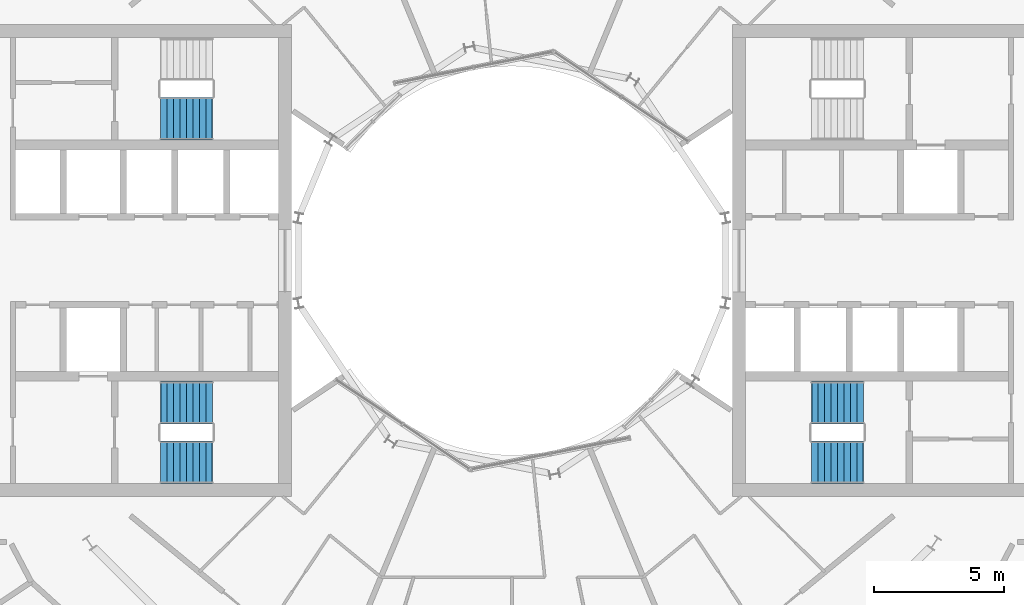
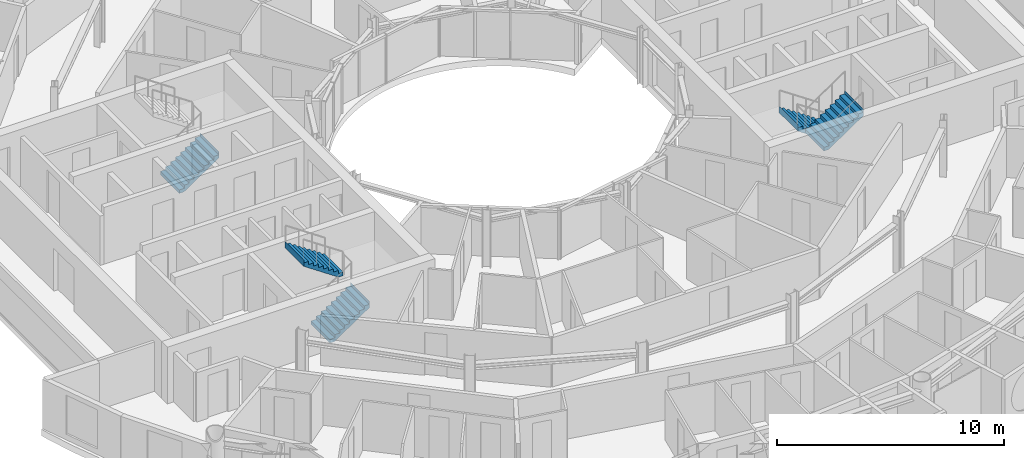
# One storey, part 24 of 26: 5 stair flights, 3 elements without a shape of their own.
"""IFC4 building model written with IfcOpenShell, lengths in metres."""

from ifc_helpers import new_model, si_unit, direction, frame, origin, place, context, subcontext, project, spatial, triangles, material, type_object, element, aggregate, save


model = new_model("IFC4")

# Units and contexts
model_context = context("Model", 3, precision=1e-05, world=origin(), true_north=direction((0.0, 1.0)))
body_context = subcontext(model_context, "Body", "Model", "MODEL_VIEW")
ifc_project = project(units=[si_unit("LENGTHUNIT", "METRE"), si_unit("AREAUNIT", "SQUARE_METRE"), si_unit("VOLUMEUNIT", "CUBIC_METRE"), si_unit("PLANEANGLEUNIT", "RADIAN"), si_unit("MASSUNIT", "GRAM", prefix="KILO")], contexts=[model_context])

# Site, building, storey
site_placement = place(None, origin())
site = spatial("IfcSite", under=ifc_project, at=site_placement, CompositionType="ELEMENT")
building_placement = place(site_placement, origin())
building = spatial("IfcBuilding", under=site, at=building_placement, Name="Maasbend Ring Residences", CompositionType="ELEMENT")
storey_placement = place(building_placement, frame((0.0, 0.0, 176.85009765625)))
storey = spatial("IfcBuildingStorey", under=building, at=storey_placement, Name="L51", CompositionType="ELEMENT", Elevation=176.85009765625)

# Stair, stair flights
ifc_material_1 = material(Name="Concrete C40/50", Category="concrete")
stair_type = type_object("IfcStairType", Name="CORE STAIR 18 RISERS", PredefinedType="HALF_TURN_STAIR", material=ifc_material_1)
stair_1_placement = place(storey_placement, origin())
stair_1 = element("IfcStair", 1, at=stair_1_placement, inside=storey, type_object=stair_type, Name="L51 Exit stair ST-E2", PredefinedType="HALF_TURN_STAIR")
ifc_material_2 = material(Name="Concrete C40/50", Category="concrete")
stair_flight_type = type_object("IfcStairFlightType", Name="CORE STAIR FLIGHT 1650", PredefinedType="STRAIGHT", material=ifc_material_2)
stair_flight_1_placement = place(storey_placement, frame((13.550048828125, -5.47509765625, 0.0), z_axis=(0.0, 0.0, 1.0), x_axis=(-1.0, 0.0, 0.0)))
stair_flight_1 = element("IfcStairFlight", 2, at=stair_flight_1_placement, type_object=stair_flight_type, Name="ST-E2 flight 1", NumberOfRisers=9, NumberOfTreads=8, PredefinedType="STRAIGHT", RiserHeight=0.169444444, TreadLength=0.25, context=body_context, shape_type="Tessellation", body=[
    triangles([(0.24072265625, 0.824951171875, -0.02001953125), (2.0029296875, 0.824951171875, 1.174560546875), (2.0029296875, 0.824951171875, 1.52490234375), (1.989990234375, 0.824951171875, 1.35546875), (1.75, 0.824951171875, 1.35546875), (1.75, 0.824951171875, 1.18603515625), (1.5, 0.824951171875, 1.18603515625), (1.5, 0.824951171875, 1.0166015625), (1.25, 0.824951171875, 1.0166015625), (1.25, 0.824951171875, 0.84716796875), (1.0, 0.824951171875, 0.84716796875), (1.0, 0.824951171875, 0.677734375), (0.75, 0.824951171875, 0.677734375), (0.75, 0.824951171875, 0.50830078125), (0.5, 0.824951171875, 0.50830078125), (0.5, 0.824951171875, 0.3388671875), (0.25, 0.824951171875, 0.3388671875), (0.25, 0.824951171875, 0.16943359375), (0.0, 0.824951171875, 0.16943359375), (0.0, 0.824951171875, 0.0), (-0.0029296875, 0.824951171875, 0.0), (-0.0029296875, 0.824951171875, -0.02001953125), (0.24072265625, 0.27490234375, -0.02001953125), (2.0029296875, 0.27490234375, 1.174560546875), (2.0029296875, 0.27490234375, 1.52490234375), (1.989990234375, 0.27490234375, 1.35546875), (1.75, 0.27490234375, 1.35546875), (1.75, 0.27490234375, 1.18603515625), (1.5, 0.27490234375, 1.18603515625), (1.5, 0.27490234375, 1.0166015625), (1.25, 0.27490234375, 1.0166015625), (1.25, 0.27490234375, 0.84716796875), (1.0, 0.27490234375, 0.84716796875), (1.0, 0.27490234375, 0.677734375), (0.75, 0.27490234375, 0.677734375), (0.75, 0.27490234375, 0.50830078125), (0.5, 0.27490234375, 0.50830078125), (0.5, 0.27490234375, 0.3388671875), (0.25, 0.27490234375, 0.3388671875), (0.25, 0.27490234375, 0.16943359375), (0.0, 0.27490234375, 0.16943359375), (0.0, 0.27490234375, 0.0), (-0.0029296875, 0.27490234375, 0.0), (-0.0029296875, 0.27490234375, -0.02001953125), (0.24072265625, -0.27490234375, -0.02001953125), (2.0029296875, -0.27490234375, 1.174560546875), (2.0029296875, -0.27490234375, 1.52490234375), (1.989990234375, -0.27490234375, 1.35546875), (1.75, -0.27490234375, 1.35546875), (1.75, -0.27490234375, 1.18603515625), (1.5, -0.27490234375, 1.18603515625), (1.5, -0.27490234375, 1.0166015625), (1.25, -0.27490234375, 1.0166015625), (1.25, -0.27490234375, 0.84716796875), (1.0, -0.27490234375, 0.84716796875), (1.0, -0.27490234375, 0.677734375), (0.75, -0.27490234375, 0.677734375), (0.75, -0.27490234375, 0.50830078125), (0.5, -0.27490234375, 0.50830078125), (0.5, -0.27490234375, 0.3388671875), (0.25, -0.27490234375, 0.3388671875), (0.25, -0.27490234375, 0.16943359375), (0.0, -0.27490234375, 0.16943359375), (0.0, -0.27490234375, 0.0), (-0.0029296875, -0.27490234375, 0.0), (-0.0029296875, -0.27490234375, -0.02001953125), (0.24072265625, -0.824951171875, -0.02001953125), (2.0029296875, -0.824951171875, 1.174560546875), (2.0029296875, -0.824951171875, 1.52490234375), (1.989990234375, -0.824951171875, 1.35546875), (1.75, -0.824951171875, 1.35546875), (1.75, -0.824951171875, 1.18603515625), (1.5, -0.824951171875, 1.18603515625), (1.5, -0.824951171875, 1.0166015625), (1.25, -0.824951171875, 1.0166015625), (1.25, -0.824951171875, 0.84716796875), (1.0, -0.824951171875, 0.84716796875), (1.0, -0.824951171875, 0.677734375), (0.75, -0.824951171875, 0.677734375), (0.75, -0.824951171875, 0.50830078125), (0.5, -0.824951171875, 0.50830078125), (0.5, -0.824951171875, 0.3388671875), (0.25, -0.824951171875, 0.3388671875), (0.25, -0.824951171875, 0.16943359375), (0.0, -0.824951171875, 0.16943359375), (0.0, -0.824951171875, 0.0), (-0.0029296875, -0.824951171875, 0.0), (-0.0029296875, -0.824951171875, -0.02001953125)], [[1, 2, 24], [1, 24, 23], [23, 24, 46], [23, 46, 45], [45, 46, 68], [45, 68, 67], [2, 3, 25], [2, 25, 24], [24, 25, 47], [24, 47, 46], [46, 47, 69], [46, 69, 68], [3, 4, 26], [3, 26, 25], [25, 26, 48], [25, 48, 47], [47, 48, 70], [47, 70, 69], [4, 5, 27], [4, 27, 26], [26, 27, 49], [26, 49, 48], [48, 49, 71], [48, 71, 70], [5, 6, 28], [5, 28, 27], [27, 28, 50], [27, 50, 49], [49, 50, 72], [49, 72, 71], [6, 7, 29], [6, 29, 28], [28, 29, 51], [28, 51, 50], [50, 51, 73], [50, 73, 72], [7, 8, 30], [7, 30, 29], [29, 30, 52], [29, 52, 51], [51, 52, 74], [51, 74, 73], [8, 9, 31], [8, 31, 30], [30, 31, 53], [30, 53, 52], [52, 53, 75], [52, 75, 74], [9, 10, 32], [9, 32, 31], [31, 32, 54], [31, 54, 53], [53, 54, 76], [53, 76, 75], [10, 11, 33], [10, 33, 32], [32, 33, 55], [32, 55, 54], [54, 55, 77], [54, 77, 76], [11, 12, 34], [11, 34, 33], [33, 34, 56], [33, 56, 55], [55, 56, 78], [55, 78, 77], [12, 13, 35], [12, 35, 34], [34, 35, 57], [34, 57, 56], [56, 57, 79], [56, 79, 78], [13, 14, 36], [13, 36, 35], [35, 36, 58], [35, 58, 57], [57, 58, 80], [57, 80, 79], [14, 15, 37], [14, 37, 36], [36, 37, 59], [36, 59, 58], [58, 59, 81], [58, 81, 80], [15, 16, 38], [15, 38, 37], [37, 38, 60], [37, 60, 59], [59, 60, 82], [59, 82, 81], [16, 17, 39], [16, 39, 38], [38, 39, 61], [38, 61, 60], [60, 61, 83], [60, 83, 82], [17, 18, 40], [17, 40, 39], [39, 40, 62], [39, 62, 61], [61, 62, 84], [61, 84, 83], [18, 19, 41], [18, 41, 40], [40, 41, 63], [40, 63, 62], [62, 63, 85], [62, 85, 84], [19, 20, 42], [19, 42, 41], [41, 42, 64], [41, 64, 63], [63, 64, 86], [63, 86, 85], [20, 21, 43], [20, 43, 42], [42, 43, 65], [42, 65, 64], [64, 65, 87], [64, 87, 86], [21, 22, 44], [21, 44, 43], [43, 44, 66], [43, 66, 65], [65, 66, 88], [65, 88, 87], [22, 1, 23], [22, 23, 44], [44, 23, 45], [44, 45, 66], [66, 45, 67], [66, 67, 88], [22, 2, 1], [2, 4, 3], [2, 5, 4], [2, 6, 5], [22, 6, 2], [6, 8, 7], [22, 8, 6], [8, 10, 9], [22, 10, 8], [10, 12, 11], [22, 12, 10], [12, 14, 13], [22, 14, 12], [14, 16, 15], [22, 16, 14], [16, 18, 17], [22, 18, 16], [18, 20, 19], [22, 20, 18], [20, 22, 21], [88, 67, 68], [68, 69, 70], [68, 70, 71], [68, 71, 72], [88, 68, 72], [72, 73, 74], [88, 72, 74], [74, 75, 76], [88, 74, 76], [76, 77, 78], [88, 76, 78], [78, 79, 80], [88, 78, 80], [80, 81, 82], [88, 80, 82], [82, 83, 84], [88, 82, 84], [84, 85, 86], [88, 84, 86], [86, 87, 88]], closed=True),
])
stair_flight_2_placement = place(storey_placement, frame((11.550048828125, -7.77490234375, 1.52490234375), z_axis=(0.0, 0.0, 1.0), x_axis=(1.0, 0.0, 0.0)))
stair_flight_2 = element("IfcStairFlight", 3, at=stair_flight_2_placement, type_object=stair_flight_type, Name="ST-E2 flight 2", NumberOfRisers=9, NumberOfTreads=8, PredefinedType="STRAIGHT", RiserHeight=0.169444444, TreadLength=0.25, context=body_context, shape_type="Tessellation", body=[
    triangles([(0.24072265625, 0.824951171875, -0.02001953125), (2.0029296875, 0.824951171875, 1.174560546875), (2.0029296875, 0.824951171875, 1.52490234375), (1.989990234375, 0.824951171875, 1.35546875), (1.75, 0.824951171875, 1.35546875), (1.75, 0.824951171875, 1.18603515625), (1.5, 0.824951171875, 1.18603515625), (1.5, 0.824951171875, 1.0166015625), (1.25, 0.824951171875, 1.0166015625), (1.25, 0.824951171875, 0.84716796875), (1.0, 0.824951171875, 0.84716796875), (1.0, 0.824951171875, 0.677734375), (0.75, 0.824951171875, 0.677734375), (0.75, 0.824951171875, 0.50830078125), (0.5, 0.824951171875, 0.50830078125), (0.5, 0.824951171875, 0.3388671875), (0.25, 0.824951171875, 0.3388671875), (0.25, 0.824951171875, 0.16943359375), (0.0, 0.824951171875, 0.16943359375), (0.0, 0.824951171875, 0.0), (-0.0029296875, 0.824951171875, 0.0), (-0.0029296875, 0.824951171875, -0.02001953125), (0.24072265625, 0.27490234375, -0.02001953125), (2.0029296875, 0.27490234375, 1.174560546875), (2.0029296875, 0.27490234375, 1.52490234375), (1.989990234375, 0.27490234375, 1.35546875), (1.75, 0.27490234375, 1.35546875), (1.75, 0.27490234375, 1.18603515625), (1.5, 0.27490234375, 1.18603515625), (1.5, 0.27490234375, 1.0166015625), (1.25, 0.27490234375, 1.0166015625), (1.25, 0.27490234375, 0.84716796875), (1.0, 0.27490234375, 0.84716796875), (1.0, 0.27490234375, 0.677734375), (0.75, 0.27490234375, 0.677734375), (0.75, 0.27490234375, 0.50830078125), (0.5, 0.27490234375, 0.50830078125), (0.5, 0.27490234375, 0.3388671875), (0.25, 0.27490234375, 0.3388671875), (0.25, 0.27490234375, 0.16943359375), (0.0, 0.27490234375, 0.16943359375), (0.0, 0.27490234375, 0.0), (-0.0029296875, 0.27490234375, 0.0), (-0.0029296875, 0.27490234375, -0.02001953125), (0.24072265625, -0.27490234375, -0.02001953125), (2.0029296875, -0.27490234375, 1.174560546875), (2.0029296875, -0.27490234375, 1.52490234375), (1.989990234375, -0.27490234375, 1.35546875), (1.75, -0.27490234375, 1.35546875), (1.75, -0.27490234375, 1.18603515625), (1.5, -0.27490234375, 1.18603515625), (1.5, -0.27490234375, 1.0166015625), (1.25, -0.27490234375, 1.0166015625), (1.25, -0.27490234375, 0.84716796875), (1.0, -0.27490234375, 0.84716796875), (1.0, -0.27490234375, 0.677734375), (0.75, -0.27490234375, 0.677734375), (0.75, -0.27490234375, 0.50830078125), (0.5, -0.27490234375, 0.50830078125), (0.5, -0.27490234375, 0.3388671875), (0.25, -0.27490234375, 0.3388671875), (0.25, -0.27490234375, 0.16943359375), (0.0, -0.27490234375, 0.16943359375), (0.0, -0.27490234375, 0.0), (-0.0029296875, -0.27490234375, 0.0), (-0.0029296875, -0.27490234375, -0.02001953125), (0.24072265625, -0.824951171875, -0.02001953125), (2.0029296875, -0.824951171875, 1.174560546875), (2.0029296875, -0.824951171875, 1.52490234375), (1.989990234375, -0.824951171875, 1.35546875), (1.75, -0.824951171875, 1.35546875), (1.75, -0.824951171875, 1.18603515625), (1.5, -0.824951171875, 1.18603515625), (1.5, -0.824951171875, 1.0166015625), (1.25, -0.824951171875, 1.0166015625), (1.25, -0.824951171875, 0.84716796875), (1.0, -0.824951171875, 0.84716796875), (1.0, -0.824951171875, 0.677734375), (0.75, -0.824951171875, 0.677734375), (0.75, -0.824951171875, 0.50830078125), (0.5, -0.824951171875, 0.50830078125), (0.5, -0.824951171875, 0.3388671875), (0.25, -0.824951171875, 0.3388671875), (0.25, -0.824951171875, 0.16943359375), (0.0, -0.824951171875, 0.16943359375), (0.0, -0.824951171875, 0.0), (-0.0029296875, -0.824951171875, 0.0), (-0.0029296875, -0.824951171875, -0.02001953125)], [[1, 2, 24], [1, 24, 23], [23, 24, 46], [23, 46, 45], [45, 46, 68], [45, 68, 67], [2, 3, 25], [2, 25, 24], [24, 25, 47], [24, 47, 46], [46, 47, 69], [46, 69, 68], [3, 4, 26], [3, 26, 25], [25, 26, 48], [25, 48, 47], [47, 48, 70], [47, 70, 69], [4, 5, 27], [4, 27, 26], [26, 27, 49], [26, 49, 48], [48, 49, 71], [48, 71, 70], [5, 6, 28], [5, 28, 27], [27, 28, 50], [27, 50, 49], [49, 50, 72], [49, 72, 71], [6, 7, 29], [6, 29, 28], [28, 29, 51], [28, 51, 50], [50, 51, 73], [50, 73, 72], [7, 8, 30], [7, 30, 29], [29, 30, 52], [29, 52, 51], [51, 52, 74], [51, 74, 73], [8, 9, 31], [8, 31, 30], [30, 31, 53], [30, 53, 52], [52, 53, 75], [52, 75, 74], [9, 10, 32], [9, 32, 31], [31, 32, 54], [31, 54, 53], [53, 54, 76], [53, 76, 75], [10, 11, 33], [10, 33, 32], [32, 33, 55], [32, 55, 54], [54, 55, 77], [54, 77, 76], [11, 12, 34], [11, 34, 33], [33, 34, 56], [33, 56, 55], [55, 56, 78], [55, 78, 77], [12, 13, 35], [12, 35, 34], [34, 35, 57], [34, 57, 56], [56, 57, 79], [56, 79, 78], [13, 14, 36], [13, 36, 35], [35, 36, 58], [35, 58, 57], [57, 58, 80], [57, 80, 79], [14, 15, 37], [14, 37, 36], [36, 37, 59], [36, 59, 58], [58, 59, 81], [58, 81, 80], [15, 16, 38], [15, 38, 37], [37, 38, 60], [37, 60, 59], [59, 60, 82], [59, 82, 81], [16, 17, 39], [16, 39, 38], [38, 39, 61], [38, 61, 60], [60, 61, 83], [60, 83, 82], [17, 18, 40], [17, 40, 39], [39, 40, 62], [39, 62, 61], [61, 62, 84], [61, 84, 83], [18, 19, 41], [18, 41, 40], [40, 41, 63], [40, 63, 62], [62, 63, 85], [62, 85, 84], [19, 20, 42], [19, 42, 41], [41, 42, 64], [41, 64, 63], [63, 64, 86], [63, 86, 85], [20, 21, 43], [20, 43, 42], [42, 43, 65], [42, 65, 64], [64, 65, 87], [64, 87, 86], [21, 22, 44], [21, 44, 43], [43, 44, 66], [43, 66, 65], [65, 66, 88], [65, 88, 87], [22, 1, 23], [22, 23, 44], [44, 23, 45], [44, 45, 66], [66, 45, 67], [66, 67, 88], [22, 2, 1], [2, 4, 3], [2, 5, 4], [2, 6, 5], [22, 6, 2], [6, 8, 7], [22, 8, 6], [8, 10, 9], [22, 10, 8], [10, 12, 11], [22, 12, 10], [12, 14, 13], [22, 14, 12], [14, 16, 15], [22, 16, 14], [16, 18, 17], [22, 18, 16], [18, 20, 19], [22, 20, 18], [20, 22, 21], [88, 67, 68], [68, 69, 70], [68, 70, 71], [68, 71, 72], [88, 68, 72], [72, 73, 74], [88, 72, 74], [74, 75, 76], [88, 74, 76], [76, 77, 78], [88, 76, 78], [78, 79, 80], [88, 78, 80], [80, 81, 82], [88, 80, 82], [82, 83, 84], [88, 82, 84], [84, 85, 86], [88, 84, 86], [86, 87, 88]], closed=True),
])
aggregate(stair_1, [stair_flight_1, stair_flight_2])

stair_2_placement = place(storey_placement, origin())
stair_2 = element("IfcStair", 4, at=stair_2_placement, inside=storey, type_object=stair_type, Name="L51 Exit stair ST-W1", PredefinedType="HALF_TURN_STAIR")
stair_flight_3_placement = place(storey_placement, frame((-13.550048828125, -7.77490234375, 0.0), z_axis=(0.0, 0.0, 1.0), x_axis=(1.0, 0.0, 0.0)))
stair_flight_3 = element("IfcStairFlight", 5, at=stair_flight_3_placement, type_object=stair_flight_type, Name="ST-W1 flight 1", NumberOfRisers=9, NumberOfTreads=8, PredefinedType="STRAIGHT", RiserHeight=0.169444444, TreadLength=0.25, context=body_context, shape_type="Tessellation", body=[
    triangles([(0.24072265625, 0.824951171875, -0.02001953125), (2.0029296875, 0.824951171875, 1.174560546875), (2.0029296875, 0.824951171875, 1.52490234375), (1.989990234375, 0.824951171875, 1.35546875), (1.75, 0.824951171875, 1.35546875), (1.75, 0.824951171875, 1.18603515625), (1.5, 0.824951171875, 1.18603515625), (1.5, 0.824951171875, 1.0166015625), (1.25, 0.824951171875, 1.0166015625), (1.25, 0.824951171875, 0.84716796875), (1.0, 0.824951171875, 0.84716796875), (1.0, 0.824951171875, 0.677734375), (0.75, 0.824951171875, 0.677734375), (0.75, 0.824951171875, 0.50830078125), (0.5, 0.824951171875, 0.50830078125), (0.5, 0.824951171875, 0.3388671875), (0.25, 0.824951171875, 0.3388671875), (0.25, 0.824951171875, 0.16943359375), (0.0, 0.824951171875, 0.16943359375), (0.0, 0.824951171875, 0.0), (-0.0029296875, 0.824951171875, 0.0), (-0.0029296875, 0.824951171875, -0.02001953125), (0.24072265625, 0.27490234375, -0.02001953125), (2.0029296875, 0.27490234375, 1.174560546875), (2.0029296875, 0.27490234375, 1.52490234375), (1.989990234375, 0.27490234375, 1.35546875), (1.75, 0.27490234375, 1.35546875), (1.75, 0.27490234375, 1.18603515625), (1.5, 0.27490234375, 1.18603515625), (1.5, 0.27490234375, 1.0166015625), (1.25, 0.27490234375, 1.0166015625), (1.25, 0.27490234375, 0.84716796875), (1.0, 0.27490234375, 0.84716796875), (1.0, 0.27490234375, 0.677734375), (0.75, 0.27490234375, 0.677734375), (0.75, 0.27490234375, 0.50830078125), (0.5, 0.27490234375, 0.50830078125), (0.5, 0.27490234375, 0.3388671875), (0.25, 0.27490234375, 0.3388671875), (0.25, 0.27490234375, 0.16943359375), (0.0, 0.27490234375, 0.16943359375), (0.0, 0.27490234375, 0.0), (-0.0029296875, 0.27490234375, 0.0), (-0.0029296875, 0.27490234375, -0.02001953125), (0.24072265625, -0.27490234375, -0.02001953125), (2.0029296875, -0.27490234375, 1.174560546875), (2.0029296875, -0.27490234375, 1.52490234375), (1.989990234375, -0.27490234375, 1.35546875), (1.75, -0.27490234375, 1.35546875), (1.75, -0.27490234375, 1.18603515625), (1.5, -0.27490234375, 1.18603515625), (1.5, -0.27490234375, 1.0166015625), (1.25, -0.27490234375, 1.0166015625), (1.25, -0.27490234375, 0.84716796875), (1.0, -0.27490234375, 0.84716796875), (1.0, -0.27490234375, 0.677734375), (0.75, -0.27490234375, 0.677734375), (0.75, -0.27490234375, 0.50830078125), (0.5, -0.27490234375, 0.50830078125), (0.5, -0.27490234375, 0.3388671875), (0.25, -0.27490234375, 0.3388671875), (0.25, -0.27490234375, 0.16943359375), (0.0, -0.27490234375, 0.16943359375), (0.0, -0.27490234375, 0.0), (-0.0029296875, -0.27490234375, 0.0), (-0.0029296875, -0.27490234375, -0.02001953125), (0.24072265625, -0.824951171875, -0.02001953125), (2.0029296875, -0.824951171875, 1.174560546875), (2.0029296875, -0.824951171875, 1.52490234375), (1.989990234375, -0.824951171875, 1.35546875), (1.75, -0.824951171875, 1.35546875), (1.75, -0.824951171875, 1.18603515625), (1.5, -0.824951171875, 1.18603515625), (1.5, -0.824951171875, 1.0166015625), (1.25, -0.824951171875, 1.0166015625), (1.25, -0.824951171875, 0.84716796875), (1.0, -0.824951171875, 0.84716796875), (1.0, -0.824951171875, 0.677734375), (0.75, -0.824951171875, 0.677734375), (0.75, -0.824951171875, 0.50830078125), (0.5, -0.824951171875, 0.50830078125), (0.5, -0.824951171875, 0.3388671875), (0.25, -0.824951171875, 0.3388671875), (0.25, -0.824951171875, 0.16943359375), (0.0, -0.824951171875, 0.16943359375), (0.0, -0.824951171875, 0.0), (-0.0029296875, -0.824951171875, 0.0), (-0.0029296875, -0.824951171875, -0.02001953125)], [[1, 2, 24], [1, 24, 23], [23, 24, 46], [23, 46, 45], [45, 46, 68], [45, 68, 67], [2, 3, 25], [2, 25, 24], [24, 25, 47], [24, 47, 46], [46, 47, 69], [46, 69, 68], [3, 4, 26], [3, 26, 25], [25, 26, 48], [25, 48, 47], [47, 48, 70], [47, 70, 69], [4, 5, 27], [4, 27, 26], [26, 27, 49], [26, 49, 48], [48, 49, 71], [48, 71, 70], [5, 6, 28], [5, 28, 27], [27, 28, 50], [27, 50, 49], [49, 50, 72], [49, 72, 71], [6, 7, 29], [6, 29, 28], [28, 29, 51], [28, 51, 50], [50, 51, 73], [50, 73, 72], [7, 8, 30], [7, 30, 29], [29, 30, 52], [29, 52, 51], [51, 52, 74], [51, 74, 73], [8, 9, 31], [8, 31, 30], [30, 31, 53], [30, 53, 52], [52, 53, 75], [52, 75, 74], [9, 10, 32], [9, 32, 31], [31, 32, 54], [31, 54, 53], [53, 54, 76], [53, 76, 75], [10, 11, 33], [10, 33, 32], [32, 33, 55], [32, 55, 54], [54, 55, 77], [54, 77, 76], [11, 12, 34], [11, 34, 33], [33, 34, 56], [33, 56, 55], [55, 56, 78], [55, 78, 77], [12, 13, 35], [12, 35, 34], [34, 35, 57], [34, 57, 56], [56, 57, 79], [56, 79, 78], [13, 14, 36], [13, 36, 35], [35, 36, 58], [35, 58, 57], [57, 58, 80], [57, 80, 79], [14, 15, 37], [14, 37, 36], [36, 37, 59], [36, 59, 58], [58, 59, 81], [58, 81, 80], [15, 16, 38], [15, 38, 37], [37, 38, 60], [37, 60, 59], [59, 60, 82], [59, 82, 81], [16, 17, 39], [16, 39, 38], [38, 39, 61], [38, 61, 60], [60, 61, 83], [60, 83, 82], [17, 18, 40], [17, 40, 39], [39, 40, 62], [39, 62, 61], [61, 62, 84], [61, 84, 83], [18, 19, 41], [18, 41, 40], [40, 41, 63], [40, 63, 62], [62, 63, 85], [62, 85, 84], [19, 20, 42], [19, 42, 41], [41, 42, 64], [41, 64, 63], [63, 64, 86], [63, 86, 85], [20, 21, 43], [20, 43, 42], [42, 43, 65], [42, 65, 64], [64, 65, 87], [64, 87, 86], [21, 22, 44], [21, 44, 43], [43, 44, 66], [43, 66, 65], [65, 66, 88], [65, 88, 87], [22, 1, 23], [22, 23, 44], [44, 23, 45], [44, 45, 66], [66, 45, 67], [66, 67, 88], [22, 2, 1], [2, 4, 3], [2, 5, 4], [2, 6, 5], [22, 6, 2], [6, 8, 7], [22, 8, 6], [8, 10, 9], [22, 10, 8], [10, 12, 11], [22, 12, 10], [12, 14, 13], [22, 14, 12], [14, 16, 15], [22, 16, 14], [16, 18, 17], [22, 18, 16], [18, 20, 19], [22, 20, 18], [20, 22, 21], [88, 67, 68], [68, 69, 70], [68, 70, 71], [68, 71, 72], [88, 68, 72], [72, 73, 74], [88, 72, 74], [74, 75, 76], [88, 74, 76], [76, 77, 78], [88, 76, 78], [78, 79, 80], [88, 78, 80], [80, 81, 82], [88, 80, 82], [82, 83, 84], [88, 82, 84], [84, 85, 86], [88, 84, 86], [86, 87, 88]], closed=True),
])
stair_flight_4_placement = place(storey_placement, frame((-11.550048828125, -5.47509765625, 1.52490234375), z_axis=(0.0, 0.0, 1.0), x_axis=(-1.0, 0.0, 0.0)))
stair_flight_4 = element("IfcStairFlight", 6, at=stair_flight_4_placement, type_object=stair_flight_type, Name="ST-W1 flight 2", NumberOfRisers=9, NumberOfTreads=8, PredefinedType="STRAIGHT", RiserHeight=0.169444444, TreadLength=0.25, context=body_context, shape_type="Tessellation", body=[
    triangles([(0.24072265625, 0.824951171875, -0.02001953125), (2.0029296875, 0.824951171875, 1.174560546875), (2.0029296875, 0.824951171875, 1.52490234375), (1.989990234375, 0.824951171875, 1.35546875), (1.75, 0.824951171875, 1.35546875), (1.75, 0.824951171875, 1.18603515625), (1.5, 0.824951171875, 1.18603515625), (1.5, 0.824951171875, 1.0166015625), (1.25, 0.824951171875, 1.0166015625), (1.25, 0.824951171875, 0.84716796875), (1.0, 0.824951171875, 0.84716796875), (1.0, 0.824951171875, 0.677734375), (0.75, 0.824951171875, 0.677734375), (0.75, 0.824951171875, 0.50830078125), (0.5, 0.824951171875, 0.50830078125), (0.5, 0.824951171875, 0.3388671875), (0.25, 0.824951171875, 0.3388671875), (0.25, 0.824951171875, 0.16943359375), (0.0, 0.824951171875, 0.16943359375), (0.0, 0.824951171875, 0.0), (-0.0029296875, 0.824951171875, 0.0), (-0.0029296875, 0.824951171875, -0.02001953125), (0.24072265625, 0.27490234375, -0.02001953125), (2.0029296875, 0.27490234375, 1.174560546875), (2.0029296875, 0.27490234375, 1.52490234375), (1.989990234375, 0.27490234375, 1.35546875), (1.75, 0.27490234375, 1.35546875), (1.75, 0.27490234375, 1.18603515625), (1.5, 0.27490234375, 1.18603515625), (1.5, 0.27490234375, 1.0166015625), (1.25, 0.27490234375, 1.0166015625), (1.25, 0.27490234375, 0.84716796875), (1.0, 0.27490234375, 0.84716796875), (1.0, 0.27490234375, 0.677734375), (0.75, 0.27490234375, 0.677734375), (0.75, 0.27490234375, 0.50830078125), (0.5, 0.27490234375, 0.50830078125), (0.5, 0.27490234375, 0.3388671875), (0.25, 0.27490234375, 0.3388671875), (0.25, 0.27490234375, 0.16943359375), (0.0, 0.27490234375, 0.16943359375), (0.0, 0.27490234375, 0.0), (-0.0029296875, 0.27490234375, 0.0), (-0.0029296875, 0.27490234375, -0.02001953125), (0.24072265625, -0.27490234375, -0.02001953125), (2.0029296875, -0.27490234375, 1.174560546875), (2.0029296875, -0.27490234375, 1.52490234375), (1.989990234375, -0.27490234375, 1.35546875), (1.75, -0.27490234375, 1.35546875), (1.75, -0.27490234375, 1.18603515625), (1.5, -0.27490234375, 1.18603515625), (1.5, -0.27490234375, 1.0166015625), (1.25, -0.27490234375, 1.0166015625), (1.25, -0.27490234375, 0.84716796875), (1.0, -0.27490234375, 0.84716796875), (1.0, -0.27490234375, 0.677734375), (0.75, -0.27490234375, 0.677734375), (0.75, -0.27490234375, 0.50830078125), (0.5, -0.27490234375, 0.50830078125), (0.5, -0.27490234375, 0.3388671875), (0.25, -0.27490234375, 0.3388671875), (0.25, -0.27490234375, 0.16943359375), (0.0, -0.27490234375, 0.16943359375), (0.0, -0.27490234375, 0.0), (-0.0029296875, -0.27490234375, 0.0), (-0.0029296875, -0.27490234375, -0.02001953125), (0.24072265625, -0.824951171875, -0.02001953125), (2.0029296875, -0.824951171875, 1.174560546875), (2.0029296875, -0.824951171875, 1.52490234375), (1.989990234375, -0.824951171875, 1.35546875), (1.75, -0.824951171875, 1.35546875), (1.75, -0.824951171875, 1.18603515625), (1.5, -0.824951171875, 1.18603515625), (1.5, -0.824951171875, 1.0166015625), (1.25, -0.824951171875, 1.0166015625), (1.25, -0.824951171875, 0.84716796875), (1.0, -0.824951171875, 0.84716796875), (1.0, -0.824951171875, 0.677734375), (0.75, -0.824951171875, 0.677734375), (0.75, -0.824951171875, 0.50830078125), (0.5, -0.824951171875, 0.50830078125), (0.5, -0.824951171875, 0.3388671875), (0.25, -0.824951171875, 0.3388671875), (0.25, -0.824951171875, 0.16943359375), (0.0, -0.824951171875, 0.16943359375), (0.0, -0.824951171875, 0.0), (-0.0029296875, -0.824951171875, 0.0), (-0.0029296875, -0.824951171875, -0.02001953125)], [[1, 2, 24], [1, 24, 23], [23, 24, 46], [23, 46, 45], [45, 46, 68], [45, 68, 67], [2, 3, 25], [2, 25, 24], [24, 25, 47], [24, 47, 46], [46, 47, 69], [46, 69, 68], [3, 4, 26], [3, 26, 25], [25, 26, 48], [25, 48, 47], [47, 48, 70], [47, 70, 69], [4, 5, 27], [4, 27, 26], [26, 27, 49], [26, 49, 48], [48, 49, 71], [48, 71, 70], [5, 6, 28], [5, 28, 27], [27, 28, 50], [27, 50, 49], [49, 50, 72], [49, 72, 71], [6, 7, 29], [6, 29, 28], [28, 29, 51], [28, 51, 50], [50, 51, 73], [50, 73, 72], [7, 8, 30], [7, 30, 29], [29, 30, 52], [29, 52, 51], [51, 52, 74], [51, 74, 73], [8, 9, 31], [8, 31, 30], [30, 31, 53], [30, 53, 52], [52, 53, 75], [52, 75, 74], [9, 10, 32], [9, 32, 31], [31, 32, 54], [31, 54, 53], [53, 54, 76], [53, 76, 75], [10, 11, 33], [10, 33, 32], [32, 33, 55], [32, 55, 54], [54, 55, 77], [54, 77, 76], [11, 12, 34], [11, 34, 33], [33, 34, 56], [33, 56, 55], [55, 56, 78], [55, 78, 77], [12, 13, 35], [12, 35, 34], [34, 35, 57], [34, 57, 56], [56, 57, 79], [56, 79, 78], [13, 14, 36], [13, 36, 35], [35, 36, 58], [35, 58, 57], [57, 58, 80], [57, 80, 79], [14, 15, 37], [14, 37, 36], [36, 37, 59], [36, 59, 58], [58, 59, 81], [58, 81, 80], [15, 16, 38], [15, 38, 37], [37, 38, 60], [37, 60, 59], [59, 60, 82], [59, 82, 81], [16, 17, 39], [16, 39, 38], [38, 39, 61], [38, 61, 60], [60, 61, 83], [60, 83, 82], [17, 18, 40], [17, 40, 39], [39, 40, 62], [39, 62, 61], [61, 62, 84], [61, 84, 83], [18, 19, 41], [18, 41, 40], [40, 41, 63], [40, 63, 62], [62, 63, 85], [62, 85, 84], [19, 20, 42], [19, 42, 41], [41, 42, 64], [41, 64, 63], [63, 64, 86], [63, 86, 85], [20, 21, 43], [20, 43, 42], [42, 43, 65], [42, 65, 64], [64, 65, 87], [64, 87, 86], [21, 22, 44], [21, 44, 43], [43, 44, 66], [43, 66, 65], [65, 66, 88], [65, 88, 87], [22, 1, 23], [22, 23, 44], [44, 23, 45], [44, 45, 66], [66, 45, 67], [66, 67, 88], [22, 2, 1], [2, 4, 3], [2, 5, 4], [2, 6, 5], [22, 6, 2], [6, 8, 7], [22, 8, 6], [8, 10, 9], [22, 10, 8], [10, 12, 11], [22, 12, 10], [12, 14, 13], [22, 14, 12], [14, 16, 15], [22, 16, 14], [16, 18, 17], [22, 18, 16], [18, 20, 19], [22, 20, 18], [20, 22, 21], [88, 67, 68], [68, 69, 70], [68, 70, 71], [68, 71, 72], [88, 68, 72], [72, 73, 74], [88, 72, 74], [74, 75, 76], [88, 74, 76], [76, 77, 78], [88, 76, 78], [78, 79, 80], [88, 78, 80], [80, 81, 82], [88, 80, 82], [82, 83, 84], [88, 82, 84], [84, 85, 86], [88, 84, 86], [86, 87, 88]], closed=True),
])
aggregate(stair_2, [stair_flight_3, stair_flight_4])

# Stair, stair flight
stair_3_placement = place(storey_placement, origin())
stair_3 = element("IfcStair", 7, at=stair_3_placement, inside=storey, type_object=stair_type, Name="L51 Exit stair ST-W2", PredefinedType="HALF_TURN_STAIR")
stair_flight_5_placement = place(storey_placement, frame((-13.550048828125, 5.47509765625, 0.0), z_axis=(0.0, 0.0, 1.0), x_axis=(1.0, 0.0, 0.0)))
stair_flight_5 = element("IfcStairFlight", 8, at=stair_flight_5_placement, type_object=stair_flight_type, Name="ST-W2 flight 1", NumberOfRisers=9, NumberOfTreads=8, PredefinedType="STRAIGHT", RiserHeight=0.169444444, TreadLength=0.25, context=body_context, shape_type="Tessellation", body=[
    triangles([(0.24072265625, 0.824951171875, -0.02001953125), (2.0029296875, 0.824951171875, 1.174560546875), (2.0029296875, 0.824951171875, 1.52490234375), (1.989990234375, 0.824951171875, 1.35546875), (1.75, 0.824951171875, 1.35546875), (1.75, 0.824951171875, 1.18603515625), (1.5, 0.824951171875, 1.18603515625), (1.5, 0.824951171875, 1.0166015625), (1.25, 0.824951171875, 1.0166015625), (1.25, 0.824951171875, 0.84716796875), (1.0, 0.824951171875, 0.84716796875), (1.0, 0.824951171875, 0.677734375), (0.75, 0.824951171875, 0.677734375), (0.75, 0.824951171875, 0.50830078125), (0.5, 0.824951171875, 0.50830078125), (0.5, 0.824951171875, 0.3388671875), (0.25, 0.824951171875, 0.3388671875), (0.25, 0.824951171875, 0.16943359375), (0.0, 0.824951171875, 0.16943359375), (0.0, 0.824951171875, 0.0), (-0.0029296875, 0.824951171875, 0.0), (-0.0029296875, 0.824951171875, -0.02001953125), (0.24072265625, 0.27490234375, -0.02001953125), (2.0029296875, 0.27490234375, 1.174560546875), (2.0029296875, 0.27490234375, 1.52490234375), (1.989990234375, 0.27490234375, 1.35546875), (1.75, 0.27490234375, 1.35546875), (1.75, 0.27490234375, 1.18603515625), (1.5, 0.27490234375, 1.18603515625), (1.5, 0.27490234375, 1.0166015625), (1.25, 0.27490234375, 1.0166015625), (1.25, 0.27490234375, 0.84716796875), (1.0, 0.27490234375, 0.84716796875), (1.0, 0.27490234375, 0.677734375), (0.75, 0.27490234375, 0.677734375), (0.75, 0.27490234375, 0.50830078125), (0.5, 0.27490234375, 0.50830078125), (0.5, 0.27490234375, 0.3388671875), (0.25, 0.27490234375, 0.3388671875), (0.25, 0.27490234375, 0.16943359375), (0.0, 0.27490234375, 0.16943359375), (0.0, 0.27490234375, 0.0), (-0.0029296875, 0.27490234375, 0.0), (-0.0029296875, 0.27490234375, -0.02001953125), (0.24072265625, -0.27490234375, -0.02001953125), (2.0029296875, -0.27490234375, 1.174560546875), (2.0029296875, -0.27490234375, 1.52490234375), (1.989990234375, -0.27490234375, 1.35546875), (1.75, -0.27490234375, 1.35546875), (1.75, -0.27490234375, 1.18603515625), (1.5, -0.27490234375, 1.18603515625), (1.5, -0.27490234375, 1.0166015625), (1.25, -0.27490234375, 1.0166015625), (1.25, -0.27490234375, 0.84716796875), (1.0, -0.27490234375, 0.84716796875), (1.0, -0.27490234375, 0.677734375), (0.75, -0.27490234375, 0.677734375), (0.75, -0.27490234375, 0.50830078125), (0.5, -0.27490234375, 0.50830078125), (0.5, -0.27490234375, 0.3388671875), (0.25, -0.27490234375, 0.3388671875), (0.25, -0.27490234375, 0.16943359375), (0.0, -0.27490234375, 0.16943359375), (0.0, -0.27490234375, 0.0), (-0.0029296875, -0.27490234375, 0.0), (-0.0029296875, -0.27490234375, -0.02001953125), (0.24072265625, -0.824951171875, -0.02001953125), (2.0029296875, -0.824951171875, 1.174560546875), (2.0029296875, -0.824951171875, 1.52490234375), (1.989990234375, -0.824951171875, 1.35546875), (1.75, -0.824951171875, 1.35546875), (1.75, -0.824951171875, 1.18603515625), (1.5, -0.824951171875, 1.18603515625), (1.5, -0.824951171875, 1.0166015625), (1.25, -0.824951171875, 1.0166015625), (1.25, -0.824951171875, 0.84716796875), (1.0, -0.824951171875, 0.84716796875), (1.0, -0.824951171875, 0.677734375), (0.75, -0.824951171875, 0.677734375), (0.75, -0.824951171875, 0.50830078125), (0.5, -0.824951171875, 0.50830078125), (0.5, -0.824951171875, 0.3388671875), (0.25, -0.824951171875, 0.3388671875), (0.25, -0.824951171875, 0.16943359375), (0.0, -0.824951171875, 0.16943359375), (0.0, -0.824951171875, 0.0), (-0.0029296875, -0.824951171875, 0.0), (-0.0029296875, -0.824951171875, -0.02001953125)], [[1, 2, 24], [1, 24, 23], [23, 24, 46], [23, 46, 45], [45, 46, 68], [45, 68, 67], [2, 3, 25], [2, 25, 24], [24, 25, 47], [24, 47, 46], [46, 47, 69], [46, 69, 68], [3, 4, 26], [3, 26, 25], [25, 26, 48], [25, 48, 47], [47, 48, 70], [47, 70, 69], [4, 5, 27], [4, 27, 26], [26, 27, 49], [26, 49, 48], [48, 49, 71], [48, 71, 70], [5, 6, 28], [5, 28, 27], [27, 28, 50], [27, 50, 49], [49, 50, 72], [49, 72, 71], [6, 7, 29], [6, 29, 28], [28, 29, 51], [28, 51, 50], [50, 51, 73], [50, 73, 72], [7, 8, 30], [7, 30, 29], [29, 30, 52], [29, 52, 51], [51, 52, 74], [51, 74, 73], [8, 9, 31], [8, 31, 30], [30, 31, 53], [30, 53, 52], [52, 53, 75], [52, 75, 74], [9, 10, 32], [9, 32, 31], [31, 32, 54], [31, 54, 53], [53, 54, 76], [53, 76, 75], [10, 11, 33], [10, 33, 32], [32, 33, 55], [32, 55, 54], [54, 55, 77], [54, 77, 76], [11, 12, 34], [11, 34, 33], [33, 34, 56], [33, 56, 55], [55, 56, 78], [55, 78, 77], [12, 13, 35], [12, 35, 34], [34, 35, 57], [34, 57, 56], [56, 57, 79], [56, 79, 78], [13, 14, 36], [13, 36, 35], [35, 36, 58], [35, 58, 57], [57, 58, 80], [57, 80, 79], [14, 15, 37], [14, 37, 36], [36, 37, 59], [36, 59, 58], [58, 59, 81], [58, 81, 80], [15, 16, 38], [15, 38, 37], [37, 38, 60], [37, 60, 59], [59, 60, 82], [59, 82, 81], [16, 17, 39], [16, 39, 38], [38, 39, 61], [38, 61, 60], [60, 61, 83], [60, 83, 82], [17, 18, 40], [17, 40, 39], [39, 40, 62], [39, 62, 61], [61, 62, 84], [61, 84, 83], [18, 19, 41], [18, 41, 40], [40, 41, 63], [40, 63, 62], [62, 63, 85], [62, 85, 84], [19, 20, 42], [19, 42, 41], [41, 42, 64], [41, 64, 63], [63, 64, 86], [63, 86, 85], [20, 21, 43], [20, 43, 42], [42, 43, 65], [42, 65, 64], [64, 65, 87], [64, 87, 86], [21, 22, 44], [21, 44, 43], [43, 44, 66], [43, 66, 65], [65, 66, 88], [65, 88, 87], [22, 1, 23], [22, 23, 44], [44, 23, 45], [44, 45, 66], [66, 45, 67], [66, 67, 88], [22, 2, 1], [2, 4, 3], [2, 5, 4], [2, 6, 5], [22, 6, 2], [6, 8, 7], [22, 8, 6], [8, 10, 9], [22, 10, 8], [10, 12, 11], [22, 12, 10], [12, 14, 13], [22, 14, 12], [14, 16, 15], [22, 16, 14], [16, 18, 17], [22, 18, 16], [18, 20, 19], [22, 20, 18], [20, 22, 21], [88, 67, 68], [68, 69, 70], [68, 70, 71], [68, 71, 72], [88, 68, 72], [72, 73, 74], [88, 72, 74], [74, 75, 76], [88, 74, 76], [76, 77, 78], [88, 76, 78], [78, 79, 80], [88, 78, 80], [80, 81, 82], [88, 80, 82], [82, 83, 84], [88, 82, 84], [84, 85, 86], [88, 84, 86], [86, 87, 88]], closed=True),
])
aggregate(stair_3, [stair_flight_5])

save(model, "model.ifc")
